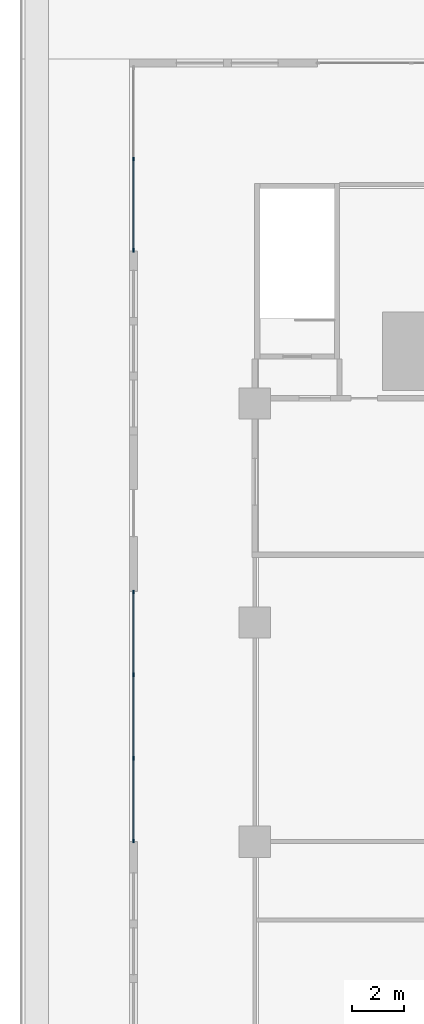
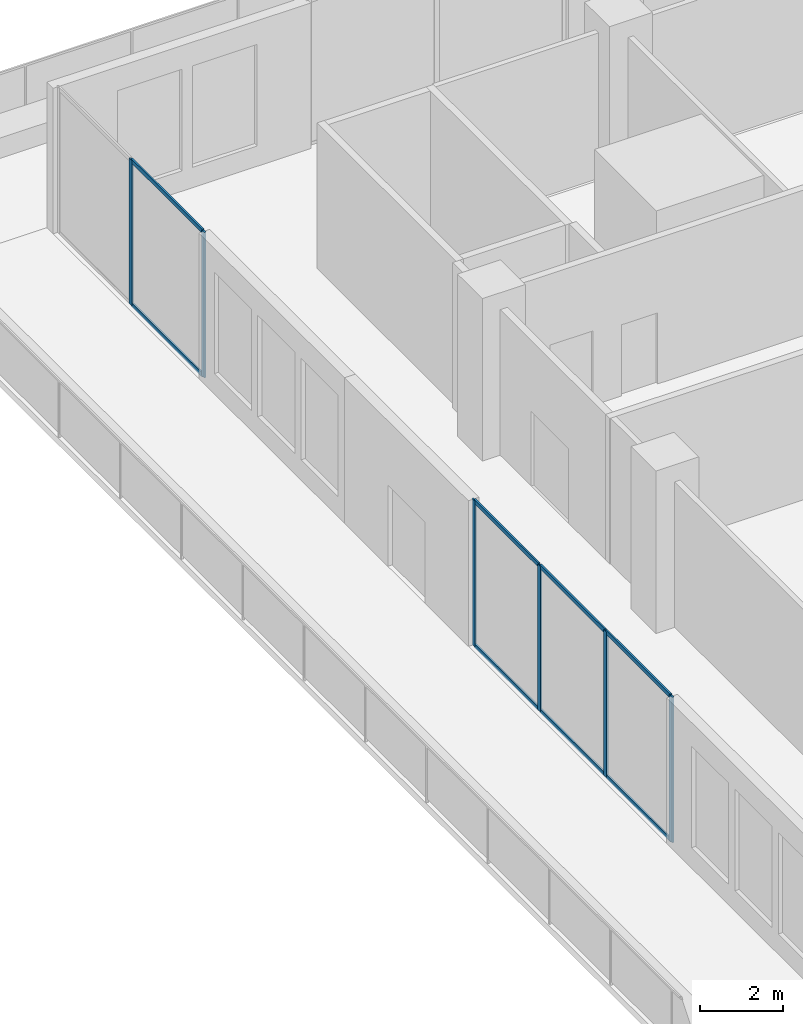
# One storey, part 5 of 22: 14 members, 2 elements without a shape of their own.
"""IFC4 building model written with IfcOpenShell, lengths in metres."""

from ifc_helpers import new_model, si_unit, direction, frame, origin, origin_2d, place, context, subcontext, project, spatial, rectangle, extrude, material, material_profile, profile_set, type_object, element, aggregate, save


model = new_model("IFC4")

# Units and contexts
model_context = context("Model", 3, precision=1e-05, world=origin(), true_north=direction((0.0, 1.0)))
body_context = subcontext(model_context, "Body", "Model", "MODEL_VIEW")
ifc_project = project(units=[si_unit("LENGTHUNIT", "METRE"), si_unit("AREAUNIT", "SQUARE_METRE"), si_unit("VOLUMEUNIT", "CUBIC_METRE"), si_unit("PLANEANGLEUNIT", "RADIAN"), si_unit("MASSUNIT", "GRAM", prefix="KILO")], contexts=[model_context])

# Site, building, storey
site_placement = place(None, origin())
site = spatial("IfcSite", under=ifc_project, at=site_placement, CompositionType="ELEMENT")
building_placement = place(site_placement, origin())
building = spatial("IfcBuilding", under=site, at=building_placement, Name="Khepri Terraces", CompositionType="ELEMENT")
storey_placement = place(building_placement, frame((0.0, 0.0, 22.199951171875)))
storey = spatial("IfcBuildingStorey", under=building, at=storey_placement, Name="L04", CompositionType="ELEMENT", Elevation=22.199951171875)

# Curtain wall, members
ifc_material_1 = material(Name="Anodised aluminium bronze curtain wall", Category="aluminium")
curtain_wall_type = type_object("IfcCurtainWallType", Name="CW-SYS6-LOUNGE", PredefinedType="NOTDEFINED", material=ifc_material_1)
curtain_wall_1_placement = place(storey_placement, origin())
curtain_wall_1 = element("IfcCurtainWall", 1, at=curtain_wall_1_placement, inside=storey, type_object=curtain_wall_type, Name="Curtain wall CW6 L04 W", PredefinedType="NOTDEFINED")
ifc_material_2 = material(Name="Anodised aluminium bronze", Category="aluminium")
ifc_material_profile_1 = material_profile(ifc_material_2, rectangle(XDim=0.050048828125, YDim=0.139892578125, at=origin_2d()), Name="Anodised aluminium bronze", Category="aluminium")
ifc_profile_set_1 = profile_set([ifc_material_profile_1], Name="Anodised aluminium bronze")
member_type_1 = type_object("IfcMemberType", Name="CW-MULLION-50x140", PredefinedType="MULLION", material=ifc_profile_set_1)
member_1_placement = place(storey_placement, frame((-29.85009765625, 26.175048828125, 0.0), z_axis=(0.0, 0.0, 1.0), x_axis=(1.0, 0.0, 0.0)))
member_1 = element("IfcMember", 2, at=member_1_placement, type_object=member_type_1, Name="CW6 mullion 2", PredefinedType="MULLION", context=body_context, shape_type="SweptSolid", body=[
    extrude(rectangle(XDim=0.050048828125, YDim=0.139892578125, at=origin_2d()), origin(), (0.0, 0.0, 1.0), 4.300048828125),
])
member_2_placement = place(storey_placement, frame((-29.85009765625, 22.675048828125, 0.0), z_axis=(0.0, 0.0, 1.0), x_axis=(1.0, 0.0, 0.0)))
member_2 = element("IfcMember", 3, at=member_2_placement, type_object=member_type_1, Name="CW6 mullion 3", PredefinedType="MULLION", context=body_context, shape_type="SweptSolid", body=[
    extrude(rectangle(XDim=0.050048828125, YDim=0.139892578125, at=origin_2d()), origin(), (0.0, 0.0, 1.0), 4.300048828125),
])

curtain_wall_2_placement = place(storey_placement, origin())
curtain_wall_2 = element("IfcCurtainWall", 4, at=curtain_wall_2_placement, inside=storey, type_object=curtain_wall_type, Name="Curtain wall CW6 L04 W", PredefinedType="NOTDEFINED")
member_3_placement = place(storey_placement, frame((-29.85009765625, 9.574951171875, 0.0), z_axis=(0.0, 0.0, 1.0), x_axis=(1.0, 0.0, 0.0)))
member_3 = element("IfcMember", 5, at=member_3_placement, type_object=member_type_1, Name="CW6 mullion 1", PredefinedType="MULLION", context=body_context, shape_type="SweptSolid", body=[
    extrude(rectangle(XDim=0.050048828125, YDim=0.139892578125, at=origin_2d()), origin(), (0.0, 0.0, 1.0), 4.300048828125),
])
member_4_placement = place(storey_placement, frame((-29.85009765625, 6.39990234375, 0.0), z_axis=(0.0, 0.0, 1.0), x_axis=(1.0, 0.0, 0.0)))
member_4 = element("IfcMember", 6, at=member_4_placement, type_object=member_type_1, Name="CW6 mullion 2", PredefinedType="MULLION", context=body_context, shape_type="SweptSolid", body=[
    extrude(rectangle(XDim=0.050048828125, YDim=0.139892578125, at=origin_2d()), origin(), (0.0, 0.0, 1.0), 4.300048828125),
])
member_5_placement = place(storey_placement, frame((-29.85009765625, 3.199951171875, 0.0), z_axis=(0.0, 0.0, 1.0), x_axis=(1.0, 0.0, 0.0)))
member_5 = element("IfcMember", 7, at=member_5_placement, type_object=member_type_1, Name="CW6 mullion 3", PredefinedType="MULLION", context=body_context, shape_type="SweptSolid", body=[
    extrude(rectangle(XDim=0.050048828125, YDim=0.139892578125, at=origin_2d()), origin(), (0.0, 0.0, 1.0), 4.300048828125),
])
member_6_placement = place(storey_placement, frame((-29.85009765625, 0.02490234375, 0.0), z_axis=(0.0, 0.0, 1.0), x_axis=(1.0, 0.0, 0.0)))
member_6 = element("IfcMember", 8, at=member_6_placement, type_object=member_type_1, Name="CW6 mullion 4", PredefinedType="MULLION", context=body_context, shape_type="SweptSolid", body=[
    extrude(rectangle(XDim=0.050048828125, YDim=0.139892578125, at=origin_2d()), origin(), (0.0, 0.0, 1.0), 4.300048828125),
])

# Member
ifc_material_profile_2 = material_profile(ifc_material_2, rectangle(XDim=0.050048828125, YDim=0.1201171875, at=origin_2d()), Name="Anodised aluminium bronze", Category="aluminium")
ifc_profile_set_2 = profile_set([ifc_material_profile_2], Name="Anodised aluminium bronze")
member_type_2 = type_object("IfcMemberType", Name="CW-TRANSOM-50x120", PredefinedType="USERDEFINED", material=ifc_profile_set_2)
member_7_placement = place(storey_placement, frame((-29.85009765625, 26.14990234375, 0.025146484375), z_axis=(0.0, -1.0, 0.0), x_axis=(1.0, 0.0, 0.0)))
member_7 = element("IfcMember", 9, at=member_7_placement, type_object=member_type_2, Name="CW6 transom 2.1", ObjectType="TRANSOM", PredefinedType="USERDEFINED", context=body_context, shape_type="SweptSolid", body=[
    extrude(rectangle(XDim=0.050048828125, YDim=0.1201171875, at=origin_2d()), origin(), (0.0, 0.0, 1.0), 3.449951171875),
])

member_8_placement = place(storey_placement, frame((-29.85009765625, 26.14990234375, 4.275146484375), z_axis=(0.0, -1.0, 0.0), x_axis=(1.0, 0.0, 0.0)))
member_8 = element("IfcMember", 10, at=member_8_placement, type_object=member_type_2, Name="CW6 transom 2.2", ObjectType="TRANSOM", PredefinedType="USERDEFINED", context=body_context, shape_type="SweptSolid", body=[
    extrude(rectangle(XDim=0.050048828125, YDim=0.1201171875, at=origin_2d()), origin(), (0.0, 0.0, 1.0), 3.449951171875),
])

aggregate(curtain_wall_1, [member_1, member_2, member_7, member_8])

member_9_placement = place(storey_placement, frame((-29.85009765625, 9.550048828125, 0.025146484375), z_axis=(0.0, -1.0, 0.0), x_axis=(1.0, 0.0, 0.0)))
member_9 = element("IfcMember", 11, at=member_9_placement, type_object=member_type_2, Name="CW6 transom 1.1", ObjectType="TRANSOM", PredefinedType="USERDEFINED", context=body_context, shape_type="SweptSolid", body=[
    extrude(rectangle(XDim=0.050048828125, YDim=0.1201171875, at=origin_2d()), origin(), (0.0, 0.0, 1.0), 3.125),
])

member_10_placement = place(storey_placement, frame((-29.85009765625, 9.550048828125, 4.275146484375), z_axis=(0.0, -1.0, 0.0), x_axis=(1.0, 0.0, 0.0)))
member_10 = element("IfcMember", 12, at=member_10_placement, type_object=member_type_2, Name="CW6 transom 1.2", ObjectType="TRANSOM", PredefinedType="USERDEFINED", context=body_context, shape_type="SweptSolid", body=[
    extrude(rectangle(XDim=0.050048828125, YDim=0.1201171875, at=origin_2d()), origin(), (0.0, 0.0, 1.0), 3.125),
])

member_11_placement = place(storey_placement, frame((-29.85009765625, 6.375, 0.025146484375), z_axis=(0.0, -1.0, 0.0), x_axis=(1.0, 0.0, 0.0)))
member_11 = element("IfcMember", 13, at=member_11_placement, type_object=member_type_2, Name="CW6 transom 2.1", ObjectType="TRANSOM", PredefinedType="USERDEFINED", context=body_context, shape_type="SweptSolid", body=[
    extrude(rectangle(XDim=0.050048828125, YDim=0.1201171875, at=origin_2d()), origin(), (0.0, 0.0, 1.0), 3.14990234375),
])

member_12_placement = place(storey_placement, frame((-29.85009765625, 6.375, 4.275146484375), z_axis=(0.0, -1.0, 0.0), x_axis=(1.0, 0.0, 0.0)))
member_12 = element("IfcMember", 14, at=member_12_placement, type_object=member_type_2, Name="CW6 transom 2.2", ObjectType="TRANSOM", PredefinedType="USERDEFINED", context=body_context, shape_type="SweptSolid", body=[
    extrude(rectangle(XDim=0.050048828125, YDim=0.1201171875, at=origin_2d()), origin(), (0.0, 0.0, 1.0), 3.14990234375),
])

member_13_placement = place(storey_placement, frame((-29.85009765625, 3.175048828125, 0.025146484375), z_axis=(0.0, -1.0, 0.0), x_axis=(1.0, 0.0, 0.0)))
member_13 = element("IfcMember", 15, at=member_13_placement, type_object=member_type_2, Name="CW6 transom 3.1", ObjectType="TRANSOM", PredefinedType="USERDEFINED", context=body_context, shape_type="SweptSolid", body=[
    extrude(rectangle(XDim=0.050048828125, YDim=0.1201171875, at=origin_2d()), origin(), (0.0, 0.0, 1.0), 3.125),
])

member_14_placement = place(storey_placement, frame((-29.85009765625, 3.175048828125, 4.275146484375), z_axis=(0.0, -1.0, 0.0), x_axis=(1.0, 0.0, 0.0)))
member_14 = element("IfcMember", 16, at=member_14_placement, type_object=member_type_2, Name="CW6 transom 3.2", ObjectType="TRANSOM", PredefinedType="USERDEFINED", context=body_context, shape_type="SweptSolid", body=[
    extrude(rectangle(XDim=0.050048828125, YDim=0.1201171875, at=origin_2d()), origin(), (0.0, 0.0, 1.0), 3.125),
])

aggregate(curtain_wall_2, [member_3, member_4, member_5, member_6, member_9, member_10, member_11, member_12, member_13, member_14])

save(model, "model.ifc")
